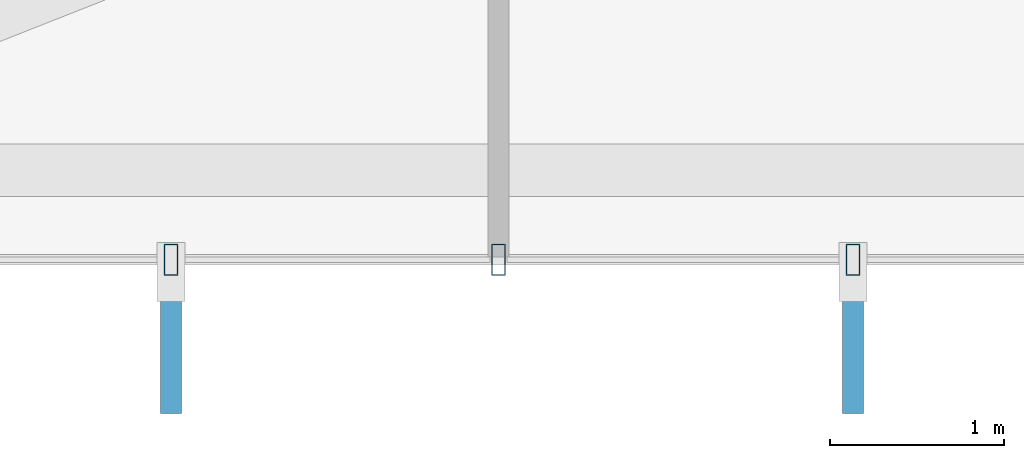
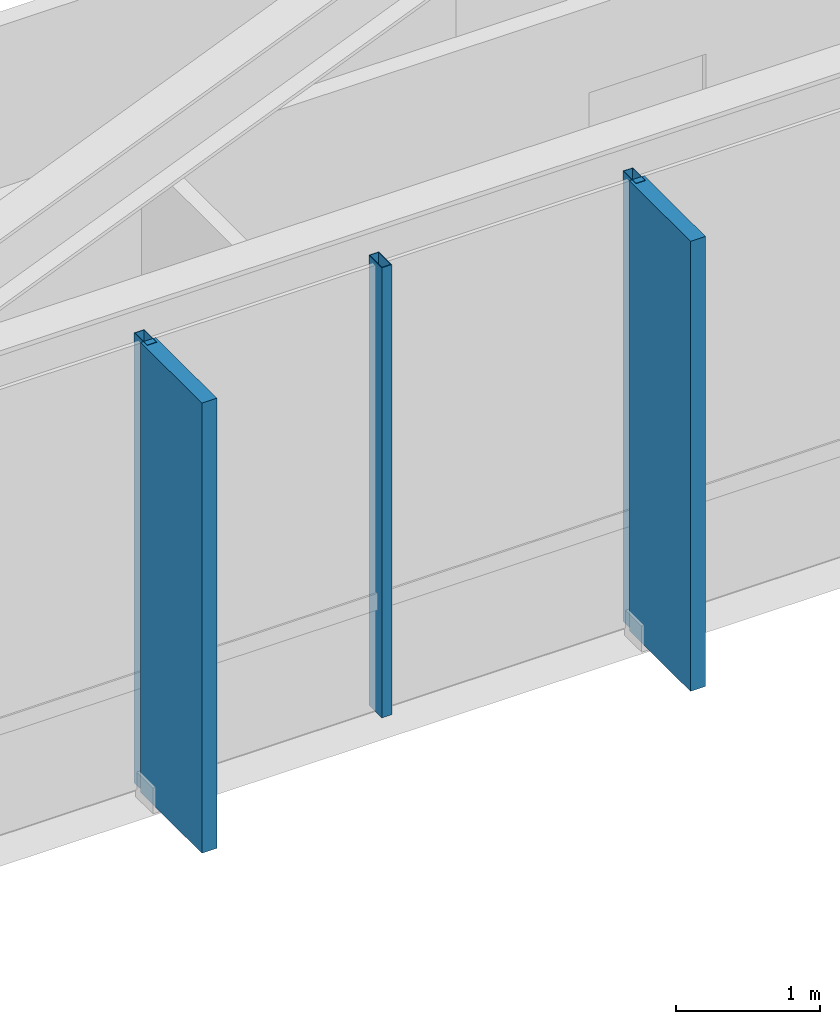
# One storey, part 6 of 26: 5 members, 1 element without a shape of its own.
"""IFC4 building model written with IfcOpenShell, lengths in metres."""

from ifc_helpers import new_model, si_unit, direction, frame, origin, origin_2d, place, context, subcontext, project, spatial, rectangle, hollow_rectangle, extrude, material, layer, layer_set, material_profile, profile_set, type_object, element, aggregate, save


model = new_model("IFC4")

# Units and contexts
model_context = context("Model", 3, precision=1e-05, world=origin(), true_north=direction((0.0, 1.0)))
body_context = subcontext(model_context, "Body", "Model", "MODEL_VIEW")
ifc_project = project(units=[si_unit("LENGTHUNIT", "METRE"), si_unit("AREAUNIT", "SQUARE_METRE"), si_unit("VOLUMEUNIT", "CUBIC_METRE"), si_unit("PLANEANGLEUNIT", "RADIAN"), si_unit("MASSUNIT", "GRAM", prefix="KILO")], contexts=[model_context])

# Site, building, storey
site_placement = place(None, origin())
site = spatial("IfcSite", under=ifc_project, at=site_placement, CompositionType="ELEMENT")
building_placement = place(site_placement, origin())
building = spatial("IfcBuilding", under=site, at=building_placement, Name="Zarrinselat Tower", CompositionType="ELEMENT")
storey_placement = place(building_placement, frame((0.0, 0.0, 92.820068359375)))
storey = spatial("IfcBuildingStorey", under=building, at=storey_placement, Name="L22", CompositionType="ELEMENT", Elevation=92.820068359375)

# Curtain wall, members
ifc_material_1 = material(Name="Extruded Aluminium Alloy EN AW-6063 T6", Category="aluminium")
ifc_layer = layer(ifc_material_1, 0.18505859375)
ifc_layer_set = layer_set([ifc_layer], Name="Extruded Aluminium Alloy EN AW-6063 T6")
curtain_wall_type = type_object("IfcCurtainWallType", Name="CWS-OFF", PredefinedType="NOTDEFINED", material=ifc_layer_set)
curtain_wall_placement = place(storey_placement, origin())
curtain_wall = element("IfcCurtainWall", 1, at=curtain_wall_placement, inside=storey, type_object=curtain_wall_type, Name="L22 Unitised Curtain Wall CW-L22-E04", PredefinedType="NOTDEFINED")
ifc_material_2 = material(Name="Extruded Aluminium Alloy EN AW-6063 T6", Category="aluminium")
ifc_material_profile_1 = material_profile(ifc_material_2, hollow_rectangle(XDim=0.080078125, YDim=0.179931640625, WallThickness=0.0048828125, at=origin_2d()), Name="RHS 180x80x5")
ifc_profile_set_1 = profile_set([ifc_material_profile_1], Name="Extruded Aluminium Alloy EN AW-6063 T6")
member_type_1 = type_object("IfcMemberType", Name="MEM-CW-MUL", PredefinedType="MULLION", material=ifc_profile_set_1)
member_1_placement = place(storey_placement, frame((32.5166015625, 18.4599609375, 0.0), z_axis=(0.0, 0.0, 1.0), x_axis=(1.0, 0.0, 0.0)))
member_1 = element("IfcMember", 2, at=member_1_placement, type_object=member_type_1, Name="CW-L22-E04 Mullion 1", PredefinedType="MULLION", context=body_context, shape_type="SweptSolid", body=[
    extrude(hollow_rectangle(XDim=0.080078125, YDim=0.179931640625, WallThickness=0.0048828125, at=origin_2d()), origin(), (0.0, 0.0, 1.0), 3.81982421875),
])
member_2_placement = place(storey_placement, frame((34.39990234375, 18.4599609375, 0.0), z_axis=(0.0, 0.0, 1.0), x_axis=(1.0, 0.0, 0.0)))
member_2 = element("IfcMember", 3, at=member_2_placement, type_object=member_type_1, Name="CW-L22-E04 Mullion 2", PredefinedType="MULLION", context=body_context, shape_type="SweptSolid", body=[
    extrude(hollow_rectangle(XDim=0.080078125, YDim=0.179931640625, WallThickness=0.0048828125, at=origin_2d()), origin(), (0.0, 0.0, 1.0), 3.81982421875),
])
member_3_placement = place(storey_placement, frame((36.43896484375, 18.4599609375, 0.0), z_axis=(0.0, 0.0, 1.0), x_axis=(1.0, 0.0, 0.0)))
member_3 = element("IfcMember", 4, at=member_3_placement, type_object=member_type_1, Name="CW-L22-E04 Mullion 3", PredefinedType="MULLION", context=body_context, shape_type="SweptSolid", body=[
    extrude(hollow_rectangle(XDim=0.080078125, YDim=0.179931640625, WallThickness=0.0048828125, at=origin_2d()), origin(), (0.0, 0.0, 1.0), 3.81982421875),
])
ifc_material_3 = material(Name="Honed Cream Travertine Stone", Category="masonry")
ifc_material_profile_2 = material_profile(ifc_material_3, rectangle(XDim=0.1201171875, YDim=0.85009765625, at=origin_2d()), Name="FIN 850x120")
ifc_profile_set_2 = profile_set([ifc_material_profile_2], Name="Honed Cream Travertine Stone")
member_type_2 = type_object("IfcMemberType", Name="MEM-STONE-FIN", PredefinedType="USERDEFINED", material=ifc_profile_set_2)
member_4_placement = place(storey_placement, frame((32.5166015625, 18.0, 0.0), z_axis=(0.0, 0.0, 1.0), x_axis=(-1.0, 0.0, 0.0)))
member_4 = element("IfcMember", 5, at=member_4_placement, type_object=member_type_2, Name="L22 Stone Shading Fin CW-L22-E04-01", ObjectType="FIN", PredefinedType="USERDEFINED", context=body_context, shape_type="SweptSolid", body=[
    extrude(rectangle(XDim=0.1201171875, YDim=0.85009765625, at=origin_2d()), origin(), (0.0, 0.0, 1.0), 3.81982421875),
])
member_5_placement = place(storey_placement, frame((36.43896484375, 18.0, 0.0), z_axis=(0.0, 0.0, 1.0), x_axis=(-1.0, 0.0, 0.0)))
member_5 = element("IfcMember", 6, at=member_5_placement, type_object=member_type_2, Name="L22 Stone Shading Fin CW-L22-E04-03", ObjectType="FIN", PredefinedType="USERDEFINED", context=body_context, shape_type="SweptSolid", body=[
    extrude(rectangle(XDim=0.1201171875, YDim=0.85009765625, at=origin_2d()), origin(), (0.0, 0.0, 1.0), 3.81982421875),
])
aggregate(curtain_wall, [member_1, member_4, member_2, member_3, member_5])

save(model, "model.ifc")
